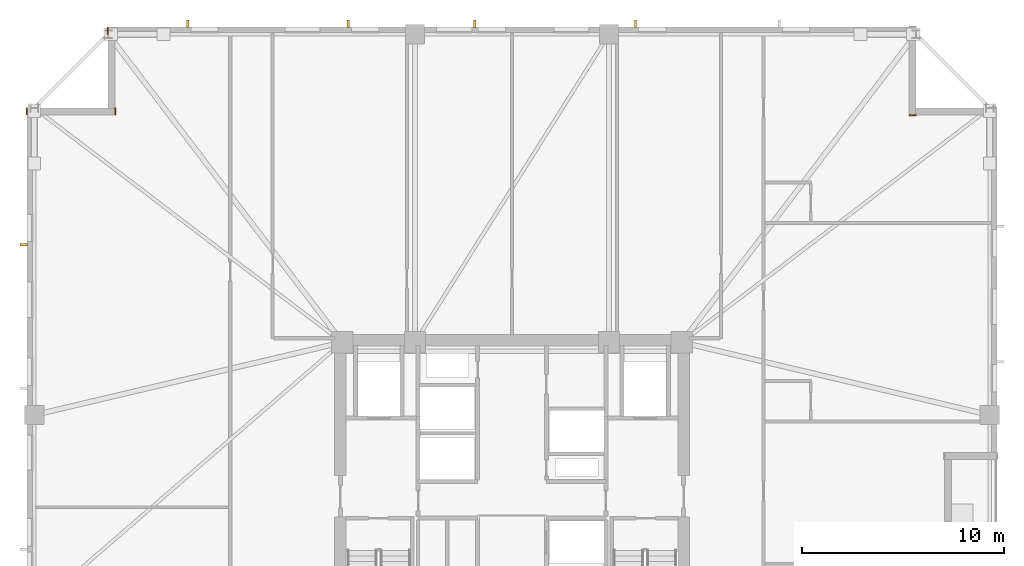
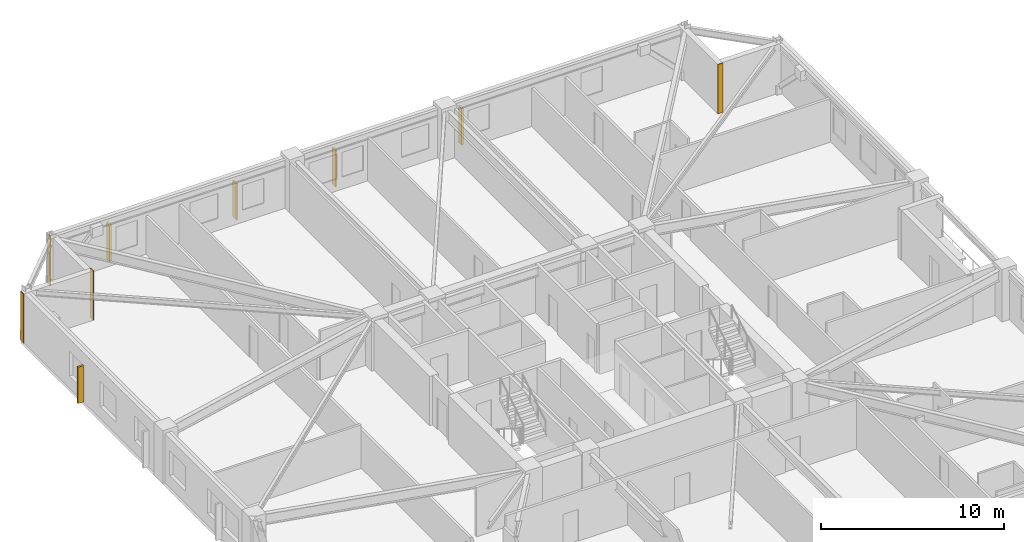
# One storey, part 9 of 10: 5 shading devices, 4 coverings.
"""IFC4 building model written with IfcOpenShell, lengths in metres."""

from ifc_helpers import new_model, si_unit, direction, frame, frame_2d, origin, origin_2d, place, context, subcontext, project, spatial, rectangle, extrude, material, layer, layer_set, type_object, element, save


model = new_model("IFC4")

# Units and contexts
model_context = context("Model", 3, precision=1e-05, world=origin(), true_north=direction((0.0, 1.0)))
body_context = subcontext(model_context, "Body", "Model", "MODEL_VIEW")
ifc_project = project(units=[si_unit("LENGTHUNIT", "METRE"), si_unit("AREAUNIT", "SQUARE_METRE"), si_unit("VOLUMEUNIT", "CUBIC_METRE"), si_unit("PLANEANGLEUNIT", "RADIAN"), si_unit("MASSUNIT", "GRAM", prefix="KILO")], contexts=[model_context])

# Site, building, storey
site_placement = place(None, origin())
site = spatial("IfcSite", under=ifc_project, at=site_placement, CompositionType="ELEMENT")
building_placement = place(site_placement, origin())
building = spatial("IfcBuilding", under=site, at=building_placement, Name="Cairnveth Concourse Tower", CompositionType="ELEMENT")
storey_placement = place(building_placement, frame((0.0, 0.0, 183.0)))
storey = spatial("IfcBuildingStorey", under=building, at=storey_placement, Name="L50", CompositionType="ELEMENT", Elevation=183.0)

# Coverings
ifc_material_1 = material(Name="Dressed Melbourne Bluestone Cladding", Category="masonry")
ifc_layer = layer(ifc_material_1, 0.050048828125)
ifc_layer_set = layer_set([ifc_layer], Name="Dressed Melbourne Bluestone Cladding")
covering_type = type_object("IfcCoveringType", Name="DRESSED BLUESTONE PLINTH CLADDING 50", PredefinedType="CLADDING", material=ifc_layer_set)
for number, where, z_axis, x_axis, name in (
    (1, (27.97998046875, 58.659912109375, 0.0), (0.0, 0.0, 1.0), (0.0, 1.0, 0.0), "Melbourne Bluestone Corner Quoin L50-746"),
    (2, (32.360107421875, 58.659912109375, 0.0), (0.0, 0.0, 1.0), (0.0, 1.0, 0.0), "Melbourne Bluestone Corner Quoin L50-747"),
    (3, (31.97998046875, 62.659912109375, 0.0), (0.0, 0.0, 1.0), (0.0, 1.0, 0.0), "Melbourne Bluestone Corner Quoin L50-748"),
    (4, (71.659912109375, 58.639892578125, 0.0), (0.0, 0.0, 1.0), (1.0, 0.0, 0.0), "Melbourne Bluestone Corner Quoin L50-750"),
):
    element("IfcCovering", number, at=place(storey_placement, frame(where, z_axis=z_axis, x_axis=x_axis)), inside=storey, type_object=covering_type, Name=name, PredefinedType="CLADDING", context=body_context, shape_type="SweptSolid", body=[
        extrude(rectangle(XDim=0.340087890625, YDim=0.050048828125, at=frame_2d((0.169921875, 0.0))), origin(), (0.0, 0.0, 1.0), 3.280029296875),
    ])

# Shading devices
ifc_material_2 = material(Name="Architectural Bronze Anodised Aluminium 6063-T6", Category="aluminium")
shading_device_type = type_object("IfcShadingDeviceType", Name="GOTHIC BRONZE VERTICAL LANCET FIN", PredefinedType="USERDEFINED", material=ifc_material_2)
for number, where, z_axis, x_axis, name in (
    (5, (27.824951171875, 52.22021484375, 0.030029296875), (0.0, 0.0, 1.0), (0.0, 1.0, 0.0), "Gothic Bronze Vertical Fin L50-6-9"),
    (6, (35.94189453125, 63.175048828125, 0.030029296875), (0.0, 0.0, 1.0), (1.0, 0.0, 0.0), "Gothic Bronze Vertical Fin L50-9-1"),
    (7, (43.89892578125, 63.175048828125, 0.030029296875), (0.0, 0.0, 1.0), (1.0, 0.0, 0.0), "Gothic Bronze Vertical Fin L50-9-3"),
    (8, (50.156005859375, 63.175048828125, 0.030029296875), (0.0, 0.0, 1.0), (1.0, 0.0, 0.0), "Gothic Bronze Vertical Fin L50-9-5"),
    (9, (58.113037109375, 63.175048828125, 0.030029296875), (0.0, 0.0, 1.0), (1.0, 0.0, 0.0), "Gothic Bronze Vertical Fin L50-9-7"),
):
    element("IfcShadingDevice", number, at=place(storey_placement, frame(where, z_axis=z_axis, x_axis=x_axis)), inside=storey, type_object=shading_device_type, Name=name, ObjectType="VERTICAL FIN", PredefinedType="USERDEFINED", context=body_context, shape_type="SweptSolid", body=[
        extrude(rectangle(XDim=0.1201171875, YDim=0.360107421875, at=origin_2d()), origin(), (0.0, 0.0, 1.0), 2.419921875),
    ])

save(model, "model.ifc")
